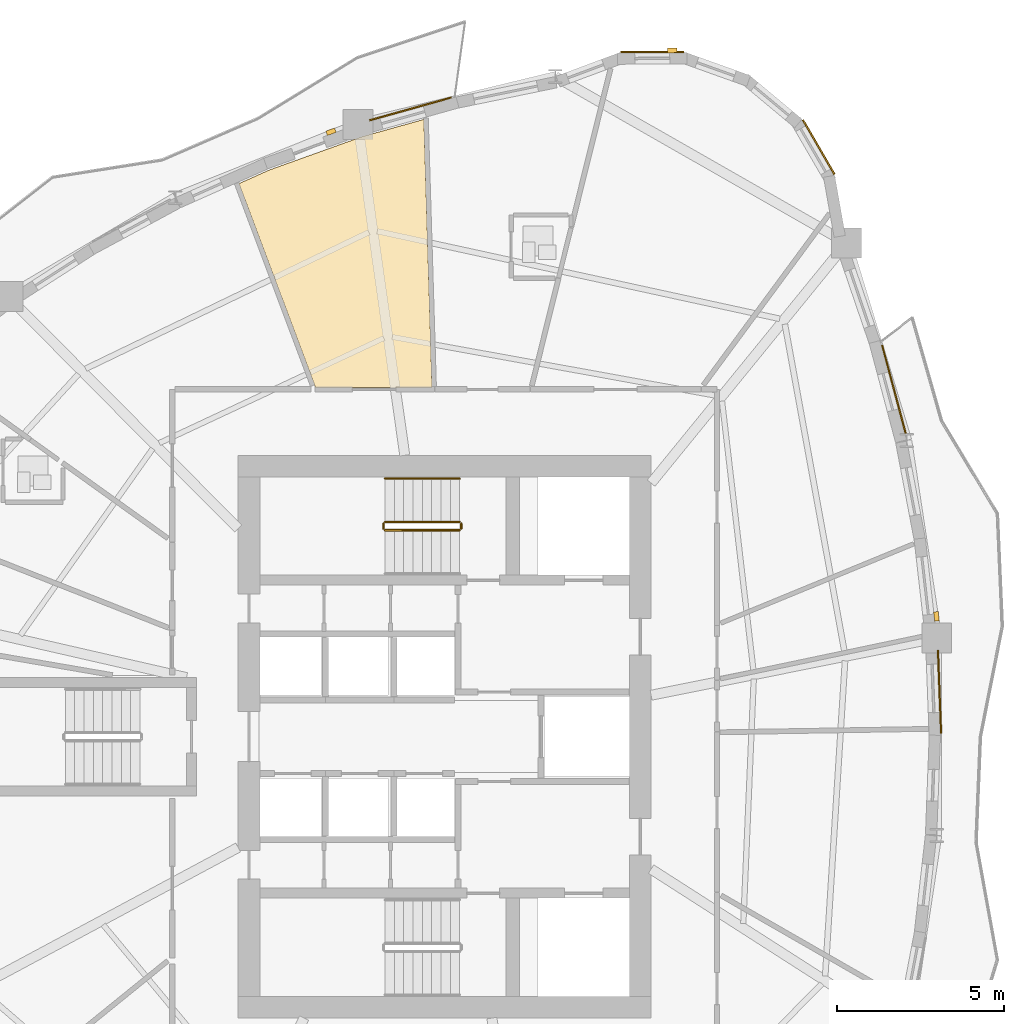
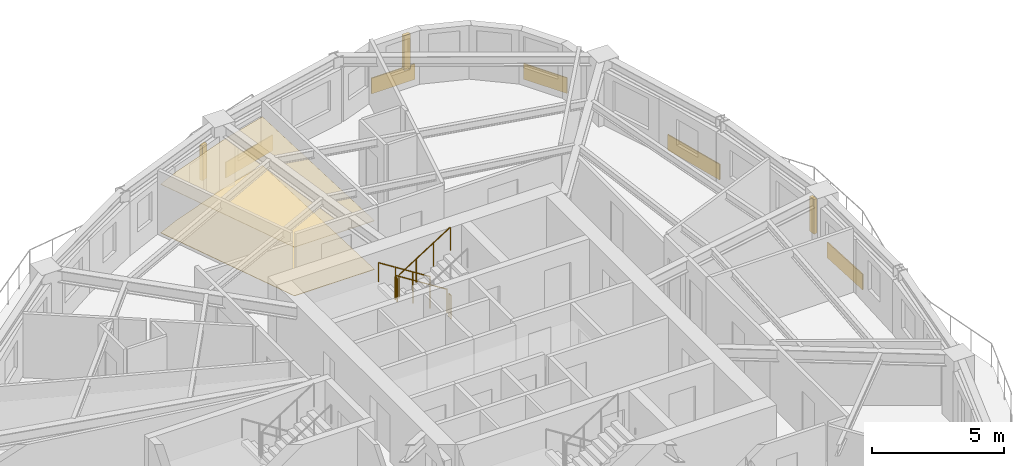
# One storey, part 13 of 14: 7 coverings, 5 railings, 3 shading devices.
"""IFC4 building model written with IfcOpenShell, lengths in metres."""

from ifc_helpers import new_model, si_unit, direction, frame, origin, origin_2d, place, context, subcontext, project, spatial, polyline, rectangle, circle, outline, extrude, source, transform, mapped, material, layer, layer_set, type_object, element, save


model = new_model("IFC4")

# Units and contexts
model_context = context("Model", 3, precision=1e-05, world=origin(), true_north=direction((0.0, 1.0)))
body_context = subcontext(model_context, "Body", "Model", "MODEL_VIEW")
ifc_project = project(units=[si_unit("LENGTHUNIT", "METRE"), si_unit("AREAUNIT", "SQUARE_METRE"), si_unit("VOLUMEUNIT", "CUBIC_METRE"), si_unit("PLANEANGLEUNIT", "RADIAN"), si_unit("MASSUNIT", "GRAM", prefix="KILO")], contexts=[model_context])

# Site, building, storey
site_placement = place(None, origin())
site = spatial("IfcSite", under=ifc_project, at=site_placement, CompositionType="ELEMENT")
building_placement = place(site_placement, origin())
building = spatial("IfcBuilding", under=site, at=building_placement, Name="Qafzar Sky-Pleat Residences", CompositionType="ELEMENT")
storey_placement = place(building_placement, frame((0.0, 0.0, 118.39990234375)))
storey = spatial("IfcBuildingStorey", under=building, at=storey_placement, Name="L35", CompositionType="ELEMENT", Elevation=118.39990234375)

# Coverings
ifc_material_1 = material(Name="Perforated acoustic gypsum board ceiling")
ifc_layer_1 = layer(ifc_material_1, 0.02001953125)
ifc_layer_set_1 = layer_set([ifc_layer_1], Name="Perforated acoustic gypsum board ceiling")
covering_type_1 = type_object("IfcCoveringType", Name="COV-CEIL-ACOUSTIC", PredefinedType="CEILING", material=ifc_layer_set_1)
covering_1_placement = place(storey_placement, frame((0.0, 0.0, 2.239990234375)))
element("IfcCovering", 1, at=covering_1_placement, inside=storey, type_object=covering_type_1, Name="L35 Communal Kitchen Acoustic Ceiling", PredefinedType="CEILING", context=body_context, shape_type="SweptSolid", body=[
    extrude(outline(polyline([(27.864013671875, 44.015380859375), (29.726806640625, 44.53662109375), (29.97119140625, 36.489990234375), (26.4736328125, 36.489990234375), (24.174560546875, 42.6103515625), (25.094482421875, 43.020263671875), (27.864013671875, 44.015380859375)])), origin(), (0.0, 0.0, 1.0), 0.02001953125),
])
ifc_material_2 = material(Name="Honed porcelain and Riyadh stone tile flooring", Category="masonry")
ifc_layer_2 = layer(ifc_material_2, 0.02001953125)
ifc_layer_set_2 = layer_set([ifc_layer_2], Name="Honed porcelain and Riyadh stone tile flooring")
covering_type_2 = type_object("IfcCoveringType", Name="COV-FLR-PORCELAIN", PredefinedType="FLOORING", material=ifc_layer_set_2)
covering_2_placement = place(storey_placement, origin())
element("IfcCovering", 2, at=covering_2_placement, inside=storey, type_object=covering_type_2, Name="L35 Communal Kitchen Honed Stone Flooring", PredefinedType="FLOORING", context=body_context, shape_type="SweptSolid", body=[
    extrude(outline(polyline([(27.864013671875, 44.015380859375), (29.726806640625, 44.53662109375), (29.97119140625, 36.489990234375), (26.4736328125, 36.489990234375), (24.174560546875, 42.6103515625), (25.094482421875, 43.020263671875), (27.864013671875, 44.015380859375)])), origin(), (0.0, 0.0, 1.0), 0.02001953125),
])

# Shading devices
ifc_material_3 = material(Name="Honed Riyadh limestone solar fin", Category="masonry")
ifc_layer_3 = layer(ifc_material_3, 0.139892578125)
ifc_layer_set_3 = layer_set([ifc_layer_3], Name="Honed Riyadh limestone solar fin")
shading_device_type = type_object("IfcShadingDeviceType", Name="SHD-FIN-STONE", PredefinedType="SHUTTER", material=ifc_layer_set_3)
shared_shape_1 = source(origin(), body_context, "Body", "SweptSolid", [
    extrude(rectangle(XDim=0.139892578125, YDim=0.280029296875, at=origin_2d()), origin(), (0.0, 0.0, 1.0), 1.60009765625),
])
for number, where, z_axis, x_axis, name in (
    (3, (45.11865234375, 29.6123046875, 0.60009765625), (0.0, 0.0, 1.0), (0.993563843367, 0.11327351479, 0.0), "L35 Limestone Solar Fin 29"),
    (4, (37.18798828125, 46.60791015625, 0.60009765625), (0.0, 0.0, 1.0), (-0.006821393447, 0.999976734025, 0.0), "L35 Limestone Solar Fin 37"),
    (5, (26.93798828125, 44.166015625, 0.60009765625), (0.0, 0.0, 1.0), (-0.338171251252, 0.941084589623, 0.0), "L35 Limestone Solar Fin 41"),
):
    element("IfcShadingDevice", number, at=place(storey_placement, frame(where, z_axis=z_axis, x_axis=x_axis)), inside=storey, type_object=shading_device_type, Name=name, PredefinedType="SHUTTER", context=body_context, shape_type="MappedRepresentation", body=[
        mapped(shared_shape_1, transform((0.0, 0.0, 0.0), x_axis=(1.0, 0.0, 0.0), y_axis=(0.0, 1.0, 0.0), z_axis=(0.0, 0.0, 1.0), scale=1.0)),
    ])

# Coverings
ifc_material_4 = material(Name="Honed Riyadh Tuwaiq limestone cladding", Category="masonry")
ifc_layer_4 = layer(ifc_material_4, 0.044921875)
ifc_layer_set_4 = layer_set([ifc_layer_4], Name="Honed Riyadh Tuwaiq limestone cladding")
covering_type_3 = type_object("IfcCoveringType", Name="COV-CLAD-STONE", PredefinedType="CLADDING", material=ifc_layer_set_4)
shared_shape_2 = source(origin(), body_context, "Body", "SweptSolid", [
    extrude(rectangle(XDim=1.88916015625, YDim=0.044921875, at=origin_2d()), origin(), (0.0, 0.0, 1.0), 0.719970703125),
])
for number, where, z_axis, x_axis, name in (
    (6, (41.5810546875, 43.70556640625, 0.02001953125), (0.0, 0.0, 1.0), (-0.50197689344, 0.864881031387, 0.0), "L35 Riyadh Limestone Spandrel Cladding 34"),
    (7, (36.583251953125, 46.560546875, 0.02001953125), (0.0, 0.0, 1.0), (-0.99997646822, -0.006860248279, 0.0), "L35 Riyadh Limestone Spandrel Cladding 37"),
):
    element("IfcCovering", number, at=place(storey_placement, frame(where, z_axis=z_axis, x_axis=x_axis)), inside=storey, type_object=covering_type_3, Name=name, PredefinedType="CLADDING", context=body_context, shape_type="MappedRepresentation", body=[
        mapped(shared_shape_2, transform((0.0, 0.0, 0.0), x_axis=(1.0, 0.0, 0.0), y_axis=(0.0, 1.0, 0.0), z_axis=(0.0, 0.0, 1.0), scale=1.0)),
    ])
shared_shape_3 = source(origin(), body_context, "Body", "SweptSolid", [
    extrude(rectangle(XDim=2.498046875, YDim=0.044921875, at=origin_2d()), origin(), (0.0, 0.0, 1.0), 0.719970703125),
])
covering_3_placement = place(storey_placement, frame((45.21044921875, 27.349609375, 0.02001953125), z_axis=(0.0, 0.0, 1.0), x_axis=(-0.037973744912, 0.999278737239, 0.0)))
element("IfcCovering", 8, at=covering_3_placement, inside=storey, type_object=covering_type_3, Name="L35 Riyadh Limestone Spandrel Cladding 28", PredefinedType="CLADDING", context=body_context, shape_type="MappedRepresentation", body=[
    mapped(shared_shape_3, transform((0.0, 0.0, 0.0), x_axis=(1.0, 0.0, 0.0), y_axis=(0.0, 1.0, 0.0), z_axis=(0.0, 0.0, 1.0), scale=1.0)),
])
shared_shape_4 = source(origin(), body_context, "Body", "SweptSolid", [
    extrude(rectangle(XDim=2.778076171875, YDim=0.044921875, at=origin_2d()), origin(), (0.0, 0.0, 1.0), 0.719970703125),
])
covering_4_placement = place(storey_placement, frame((43.844970703125, 36.4130859375, 0.02001953125), z_axis=(0.0, 0.0, 1.0), x_axis=(-0.257075814688, 0.966391238321, 0.0)))
element("IfcCovering", 9, at=covering_4_placement, inside=storey, type_object=covering_type_3, Name="L35 Riyadh Limestone Spandrel Cladding 31", PredefinedType="CLADDING", context=body_context, shape_type="MappedRepresentation", body=[
    mapped(shared_shape_4, transform((0.0, 0.0, 0.0), x_axis=(1.0, 0.0, 0.0), y_axis=(0.0, 1.0, 0.0), z_axis=(0.0, 0.0, 1.0), scale=1.0)),
])
shared_shape_5 = source(origin(), body_context, "Body", "SweptSolid", [
    extrude(rectangle(XDim=2.546142578125, YDim=0.044921875, at=origin_2d()), origin(), (0.0, 0.0, 1.0), 0.719970703125),
])
covering_5_placement = place(storey_placement, frame((29.3232421875, 44.8515625, 0.02001953125), z_axis=(0.0, 0.0, 1.0), x_axis=(-0.963031172713, -0.269389978251, 0.0)))
element("IfcCovering", 10, at=covering_5_placement, inside=storey, type_object=covering_type_3, Name="L35 Riyadh Limestone Spandrel Cladding 40", PredefinedType="CLADDING", context=body_context, shape_type="MappedRepresentation", body=[
    mapped(shared_shape_5, transform((0.0, 0.0, 0.0), x_axis=(1.0, 0.0, 0.0), y_axis=(0.0, 1.0, 0.0), z_axis=(0.0, 0.0, 1.0), scale=1.0)),
])

# Railings
ifc_material_5 = material(Name="Painted Steel S355 stair guardrail", Category="steel")
railing_type_1 = type_object("IfcRailingType", Name="RAIL-STAIR-GUARD", PredefinedType="GUARDRAIL", material=ifc_material_5)
shared_shape_6 = source(origin(), body_context, "Body", "SweptSolid", [
    extrude(circle(Radius=0.02392578125, at=origin_2d()), frame((0.0, 0.0, 1.076171875), z_axis=(0.0, -1.0, 0.0), x_axis=(1.0, 0.0, 0.0)), (0.0, 0.0, 1.0), 0.14990234375),
    extrude(circle(Radius=0.02099609375, at=origin_2d()), origin(), (0.0, 0.0, 1.0), 1.052001953125),
    extrude(circle(Radius=0.02099609375, at=origin_2d()), frame((0.0, -0.14990234375, 0.0)), (0.0, 0.0, 1.0), 1.052001953125),
])
for number, where, name in (
    (11, (28.510009765625, 32.39990234375, 1.60009765625), "L35 ST2 stair guard 2"),
    (12, (30.85009765625, 32.39990234375, 0.0), "L35 ST2 stair guard 4"),
):
    element("IfcRailing", number, at=place(storey_placement, frame(where)), inside=storey, type_object=railing_type_1, Name=name, PredefinedType="GUARDRAIL", context=body_context, shape_type="MappedRepresentation", body=[
        mapped(shared_shape_6, transform((0.0, 0.0, 0.0), x_axis=(1.0, 0.0, 0.0), y_axis=(0.0, 1.0, 0.0), z_axis=(0.0, 0.0, 1.0), scale=1.0)),
    ])
shared_shape_7 = source(origin(), body_context, "Body", "SweptSolid", [
    extrude(circle(Radius=0.02392578125, at=origin_2d()), frame((0.0, 0.0, 1.076171875), z_axis=(-0.8442293374, 0.0, 0.53598211339), x_axis=(0.0, -1.0, 0.0)), (0.0, 0.0, 1.0), 2.6533203125),
    extrude(circle(Radius=0.02099609375, at=origin_2d()), origin(), (0.0, 0.0, 1.0), 1.052001953125),
    extrude(circle(Radius=0.02099609375, at=origin_2d()), frame((-0.74658203125, 0.0, 0.47412109375)), (0.0, 0.0, 1.0), 1.052001953125),
    extrude(circle(Radius=0.02099609375, at=origin_2d()), frame((-1.493408203125, 0.0, 0.947998046875)), (0.0, 0.0, 1.0), 1.052001953125),
    extrude(circle(Radius=0.02099609375, at=origin_2d()), frame((-2.239990234375, 0.0, 1.422119140625)), (0.0, 0.0, 1.0), 1.052001953125),
])
railing_1_placement = place(storey_placement, frame((30.800048828125, 32.449951171875, 0.177978515625)))
element("IfcRailing", 13, at=railing_1_placement, inside=storey, type_object=railing_type_1, Name="L35 ST2 stair guard 1", PredefinedType="GUARDRAIL", context=body_context, shape_type="MappedRepresentation", body=[
    mapped(shared_shape_7, transform((0.0, 0.0, 0.0), x_axis=(1.0, 0.0, 0.0), y_axis=(0.0, 1.0, 0.0), z_axis=(0.0, 0.0, 1.0), scale=1.0)),
])
ifc_material_6 = material(Name="Brushed stainless steel handrail", Category="steel")
railing_type_2 = type_object("IfcRailingType", Name="RAIL-STAIR-HAND", PredefinedType="HANDRAIL", material=ifc_material_6)
shared_shape_8 = source(origin(), body_context, "Body", "SweptSolid", [
    extrude(circle(Radius=0.02392578125, at=origin_2d()), frame((0.0, 0.0, 0.8759765625), z_axis=(-0.8442293374, 0.0, 0.53598211339), x_axis=(0.0, -1.0, 0.0)), (0.0, 0.0, 1.0), 2.6533203125),
    extrude(circle(Radius=0.02099609375, at=origin_2d()), origin(), (0.0, 0.0, 1.0), 0.851806640625),
    extrude(circle(Radius=0.02099609375, at=origin_2d()), frame((-0.74658203125, 0.0, 0.47412109375)), (0.0, 0.0, 1.0), 0.851806640625),
    extrude(circle(Radius=0.02099609375, at=origin_2d()), frame((-1.493408203125, 0.0, 0.947998046875)), (0.0, 0.0, 1.0), 0.851806640625),
    extrude(circle(Radius=0.02099609375, at=origin_2d()), frame((-2.239990234375, 0.0, 1.422119140625)), (0.0, 0.0, 1.0), 0.851806640625),
])
railing_2_placement = place(storey_placement, frame((30.800048828125, 33.75, 0.177978515625)))
element("IfcRailing", 14, at=railing_2_placement, inside=storey, type_object=railing_type_2, Name="L35 ST2 stair handrail 1", PredefinedType="HANDRAIL", context=body_context, shape_type="MappedRepresentation", body=[
    mapped(shared_shape_8, transform((0.0, 0.0, 0.0), x_axis=(1.0, 0.0, 0.0), y_axis=(0.0, 1.0, 0.0), z_axis=(0.0, 0.0, 1.0), scale=1.0)),
])
shared_shape_9 = source(origin(), body_context, "Body", "SweptSolid", [
    extrude(circle(Radius=0.02392578125, at=origin_2d()), frame((0.0, 0.0, 1.076171875), z_axis=(0.84418770128, 0.0, 0.536047689118), x_axis=(0.0, 1.0, 0.0)), (0.0, 0.0, 1.0), 2.6533203125),
    extrude(circle(Radius=0.02099609375, at=origin_2d()), origin(), (0.0, 0.0, 1.0), 1.052001953125),
    extrude(circle(Radius=0.02099609375, at=origin_2d()), frame((0.74658203125, 0.0, 0.47412109375)), (0.0, 0.0, 1.0), 1.052001953125),
    extrude(circle(Radius=0.02099609375, at=origin_2d()), frame((1.493408203125, 0.0, 0.9482421875)), (0.0, 0.0, 1.0), 1.052001953125),
    extrude(circle(Radius=0.02099609375, at=origin_2d()), frame((2.239990234375, 0.0, 1.42236328125)), (0.0, 0.0, 1.0), 1.052001953125),
])
railing_3_placement = place(storey_placement, frame((28.56005859375, 32.199951171875, 1.77783203125)))
element("IfcRailing", 15, at=railing_3_placement, inside=storey, type_object=railing_type_1, Name="L35 ST2 stair guard 3", PredefinedType="GUARDRAIL", context=body_context, shape_type="MappedRepresentation", body=[
    mapped(shared_shape_9, transform((0.0, 0.0, 0.0), x_axis=(1.0, 0.0, 0.0), y_axis=(0.0, 1.0, 0.0), z_axis=(0.0, 0.0, 1.0), scale=1.0)),
])

save(model, "model.ifc")
